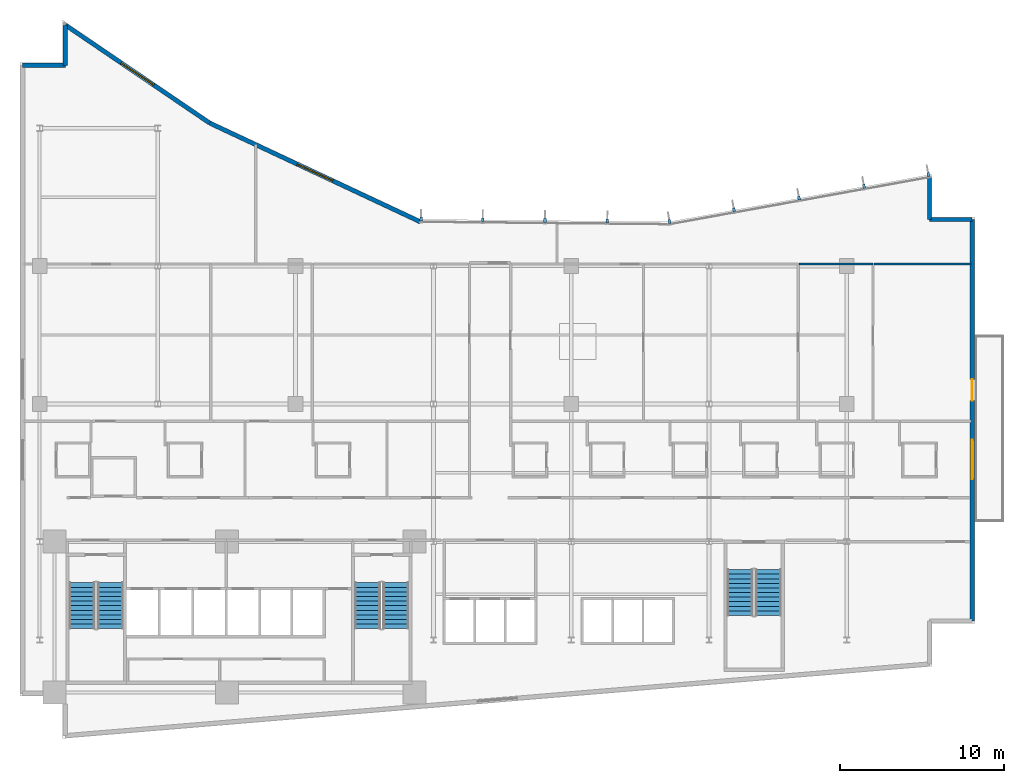
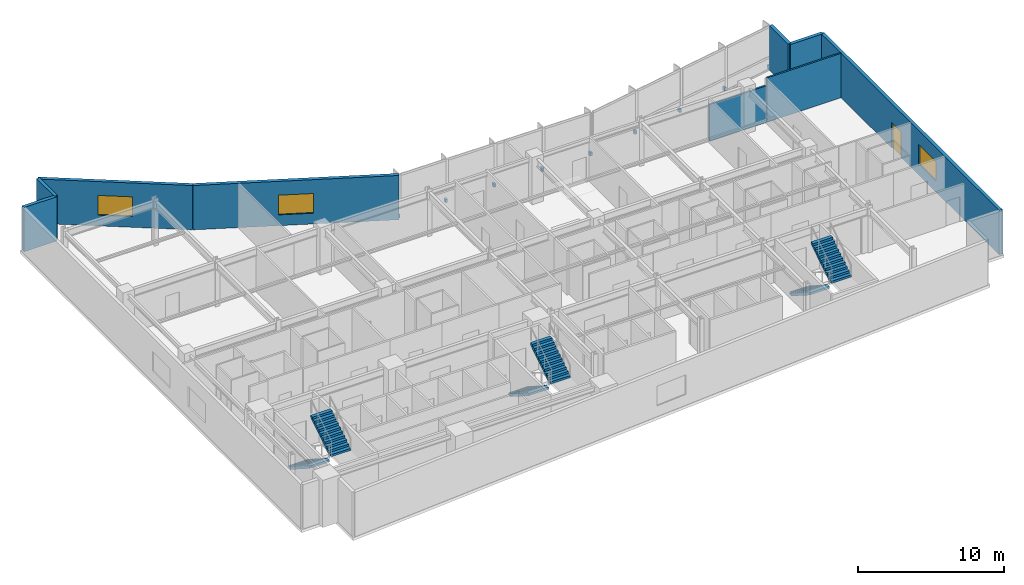
# One storey, part 14 of 19: 9 discrete accessories, 9 walls, 6 stair flights, 3 windows, 1 door, 4 openings, 3 elements without a shape of their own.
"""IFC4 building model written with IfcOpenShell, lengths in metres."""

from ifc_helpers import new_model, si_unit, direction, frame, frame_2d, origin, origin_2d, place, context, subcontext, project, spatial, polyline, rectangle, outline, extrude, material, layer, layer_set, type_object, element, fill, aggregate, save


model = new_model("IFC4")

# Units and contexts
model_context = context("Model", 3, precision=1e-05, world=origin(), true_north=direction((0.0, 1.0)))
body_context = subcontext(model_context, "Body", "Model", "MODEL_VIEW")
ifc_project = project(units=[si_unit("LENGTHUNIT", "METRE"), si_unit("AREAUNIT", "SQUARE_METRE"), si_unit("VOLUMEUNIT", "CUBIC_METRE"), si_unit("PLANEANGLEUNIT", "RADIAN"), si_unit("MASSUNIT", "GRAM", prefix="KILO")], contexts=[model_context])

# Site, building, storey
site_placement = place(None, origin())
site = spatial("IfcSite", under=ifc_project, at=site_placement, CompositionType="ELEMENT")
building_placement = place(site_placement, origin())
building = spatial("IfcBuilding", under=site, at=building_placement, Name="Varnakote Quay Hospital", CompositionType="ELEMENT")
storey_placement = place(building_placement, frame((0.0, 0.0, 54.10009765625)))
storey = spatial("IfcBuildingStorey", under=building, at=storey_placement, Name="L13", CompositionType="ELEMENT", Elevation=54.10009765625)

# Wall, openings, door, window
ifc_material_1 = material(Name="Precast concrete N50 (f'c 50 MPa)", Category="concrete")
ifc_layer_1 = layer(ifc_material_1, 0.260009765625)
ifc_layer_set_1 = layer_set([ifc_layer_1], Name="Precast concrete N50 (f'c 50 MPa)")
wall_type_1 = type_object("IfcWallType", Name="WL-EXT-BRICK-260", PredefinedType="STANDARD", material=ifc_layer_set_1)
wall_1_placement = place(storey_placement, frame((58.0400390625, 7.159912109375, 0.0), z_axis=(0.0, 0.0, 1.0), x_axis=(0.0, 1.0, 0.0)))
wall_1 = element("IfcWall", 1, at=wall_1_placement, inside=storey, type_object=wall_type_1, Name="L13 Healing Terrace Portal Brick Wall", PredefinedType="STANDARD", context=body_context, shape_type="SweptSolid", body=[
    extrude(rectangle(XDim=24.47998046875, YDim=0.260009765625, at=frame_2d((12.239990234375, 0.0))), origin(), (0.0, 0.0, 1.0), 3.7099609375),
])
opening_1_placement = place(wall_1_placement, frame((13.43994140625, 0.0, 0.0)))
opening_1 = element("IfcOpeningElement", 2, at=opening_1_placement, cuts=wall_1, Name="Opening DT-L13", PredefinedType="OPENING", context=body_context, shape_type="SweptSolid", body=[
    extrude(rectangle(XDim=1.300048828125, YDim=2.14990234375, at=frame_2d((0.64990234375, 1.074951171875))), frame((0.0, 0.139892578125, 0.0), z_axis=(0.0, -1.0, 0.0), x_axis=(1.0, 0.0, 0.0)), (0.0, 0.0, 1.0), 0.280029296875),
])
opening_2_placement = place(wall_1_placement, frame((8.64990234375, 0.0, 0.89990234375)))
opening_2 = element("IfcOpeningElement", 3, at=opening_2_placement, cuts=wall_1, Name="Opening WN-0308", PredefinedType="OPENING", context=body_context, shape_type="SweptSolid", body=[
    extrude(rectangle(XDim=2.39990234375, YDim=1.64990234375, at=frame_2d((1.199951171875, 0.824951171875))), frame((0.0, 0.139892578125, 0.0), z_axis=(0.0, -1.0, 0.0), x_axis=(1.0, 0.0, 0.0)), (0.0, 0.0, 1.0), 0.280029296875),
])
ifc_material_2 = material(Name="Anodised aluminium glazed terrace door", Category="aluminium")
door_type = type_object("IfcDoorType", Name="DR-EXT-TERR-1300x2150", OperationType="NOTDEFINED", PredefinedType="DOOR", material=ifc_material_2)
door_placement = place(opening_1_placement, origin())
door = element("IfcDoor", 4, at=door_placement, inside=storey, type_object=door_type, Name="L13 Waterfront Healing Terrace Door", OperationType="SINGLE_SWING_RIGHT", OverallHeight=2.14990234375, OverallWidth=1.300048828125, PredefinedType="DOOR", context=body_context, shape_type="SweptSolid", body=[
    extrude(rectangle(XDim=1.300048828125, YDim=2.14990234375, at=frame_2d((0.64990234375, 1.074951171875))), frame((0.0, 0.02490234375, 0.0), z_axis=(0.0, -1.0, 0.0), x_axis=(1.0, 0.0, 0.0)), (0.0, 0.0, 1.0), 0.050048828125),
])
fill(opening_1, door)
ifc_material_3 = material(Name="Double-glazed low-E solar glass", Category="glass")
window_type = type_object("IfcWindowType", Name="WIN-CLIN-2400x1650", PartitioningType="SINGLE_PANEL", PredefinedType="WINDOW", material=ifc_material_3)
window_1_placement = place(opening_2_placement, origin())
window_1 = element("IfcWindow", 5, at=window_1_placement, inside=storey, type_object=window_type, Name="L13 Solar-Control Clinical Window", OverallHeight=1.64990234375, OverallWidth=2.39990234375, PartitioningType="SINGLE_PANEL", PredefinedType="WINDOW", context=body_context, shape_type="SweptSolid", body=[
    extrude(rectangle(XDim=2.39990234375, YDim=1.64990234375, at=frame_2d((1.199951171875, 0.824951171875))), frame((0.0, 0.030029296875, 0.0), z_axis=(0.0, -1.0, 0.0), x_axis=(1.0, 0.0, 0.0)), (0.0, 0.0, 1.0), 0.06005859375),
])
fill(opening_2, window_1)

# Walls
wall_2_placement = place(storey_placement, frame((58.0400390625, 31.639892578125, 0.0), z_axis=(0.0, 0.0, 1.0), x_axis=(-1.0, 0.0, 0.0)))
element("IfcWall", 6, at=wall_2_placement, inside=storey, type_object=wall_type_1, Name="L13 Brick-Faced Precast Exterior Wall", PredefinedType="STANDARD", context=body_context, shape_type="SweptSolid", body=[
    extrude(rectangle(XDim=2.60009765625, YDim=0.260009765625, at=frame_2d((1.300048828125, 0.0))), origin(), (0.0, 0.0, 1.0), 3.7099609375),
])
wall_3_placement = place(storey_placement, frame((55.43994140625, 31.639892578125, 0.0), z_axis=(0.0, 0.0, 1.0), x_axis=(0.0, 1.0, 0.0)))
element("IfcWall", 7, at=wall_3_placement, inside=storey, type_object=wall_type_1, Name="L13 Brick-Faced Precast Exterior Wall", PredefinedType="STANDARD", context=body_context, shape_type="SweptSolid", body=[
    extrude(rectangle(XDim=2.568603515625, YDim=0.260009765625, at=frame_2d((1.2841796875, 0.0))), origin(), (0.0, 0.0, 1.0), 3.7099609375),
])

# Wall, opening, window
wall_4_placement = place(storey_placement, frame((24.40771484375, 31.4921875, 0.0), z_axis=(0.0, 0.0, 1.0), x_axis=(-0.905396522918, 0.424566998585, 0.0)))
wall_4 = element("IfcWall", 8, at=wall_4_placement, inside=storey, type_object=wall_type_1, Name="L13 Brick-Faced Precast Exterior Wall", PredefinedType="STANDARD", context=body_context, shape_type="SweptSolid", body=[
    extrude(rectangle(XDim=14.189453125, YDim=0.260009765625, at=frame_2d((7.0947265625, 0.0))), origin(), (0.0, 0.0, 1.0), 3.7099609375),
])
opening_3_placement = place(wall_4_placement, frame((5.894775390625, 0.0, 0.89990234375)))
opening_3 = element("IfcOpeningElement", 9, at=opening_3_placement, cuts=wall_4, Name="Opening WN-0067", PredefinedType="OPENING", context=body_context, shape_type="SweptSolid", body=[
    extrude(rectangle(XDim=2.39990234375, YDim=1.64990234375, at=frame_2d((1.199951171875, 0.824951171875))), frame((0.0, 0.139892578125, 0.0), z_axis=(0.0, -1.0, 0.0), x_axis=(1.0, 0.0, 0.0)), (0.0, 0.0, 1.0), 0.280029296875),
])
window_2_placement = place(opening_3_placement, origin())
window_2 = element("IfcWindow", 10, at=window_2_placement, inside=storey, type_object=window_type, Name="L13 Solar-Control Clinical Window", OverallHeight=1.64990234375, OverallWidth=2.39990234375, PartitioningType="SINGLE_PANEL", PredefinedType="WINDOW", context=body_context, shape_type="SweptSolid", body=[
    extrude(rectangle(XDim=2.39990234375, YDim=1.64990234375, at=frame_2d((1.199951171875, 0.824951171875))), frame((0.0, 0.030029296875, 0.0), z_axis=(0.0, -1.0, 0.0), x_axis=(1.0, 0.0, 0.0)), (0.0, 0.0, 1.0), 0.06005859375),
])
fill(opening_3, window_2)

wall_5_placement = place(storey_placement, frame((11.560546875, 37.5166015625, 0.0), z_axis=(0.0, 0.0, 1.0), x_axis=(-0.827064743936, 0.562106670782, 0.0)))
wall_5 = element("IfcWall", 11, at=wall_5_placement, inside=storey, type_object=wall_type_1, Name="L13 Brick-Faced Precast Exterior Wall", PredefinedType="STANDARD", context=body_context, shape_type="SweptSolid", body=[
    extrude(rectangle(XDim=10.640625, YDim=0.260009765625, at=frame_2d((5.3203125, 0.0))), origin(), (0.0, 0.0, 1.0), 3.7099609375),
])
opening_4_placement = place(wall_5_placement, frame((4.120361328125, 0.0, 0.89990234375)))
opening_4 = element("IfcOpeningElement", 12, at=opening_4_placement, cuts=wall_5, Name="Opening WN-0068", PredefinedType="OPENING", context=body_context, shape_type="SweptSolid", body=[
    extrude(rectangle(XDim=2.39990234375, YDim=1.64990234375, at=frame_2d((1.199951171875, 0.824951171875))), frame((0.0, 0.139892578125, 0.0), z_axis=(0.0, -1.0, 0.0), x_axis=(1.0, 0.0, 0.0)), (0.0, 0.0, 1.0), 0.280029296875),
])
window_3_placement = place(opening_4_placement, origin())
window_3 = element("IfcWindow", 13, at=window_3_placement, inside=storey, type_object=window_type, Name="L13 Solar-Control Clinical Window", OverallHeight=1.64990234375, OverallWidth=2.39990234375, PartitioningType="SINGLE_PANEL", PredefinedType="WINDOW", context=body_context, shape_type="SweptSolid", body=[
    extrude(rectangle(XDim=2.39990234375, YDim=1.64990234375, at=frame_2d((1.199951171875, 0.824951171875))), frame((0.0, 0.030029296875, 0.0), z_axis=(0.0, -1.0, 0.0), x_axis=(1.0, 0.0, 0.0)), (0.0, 0.0, 1.0), 0.06005859375),
])
fill(opening_4, window_3)

# Walls
wall_6_placement = place(storey_placement, frame((2.760009765625, 43.497802734375, 0.0), z_axis=(0.0, 0.0, 1.0), x_axis=(0.0, -1.0, 0.0)))
element("IfcWall", 14, at=wall_6_placement, inside=storey, type_object=wall_type_1, Name="L13 Brick-Faced Precast Exterior Wall", PredefinedType="STANDARD", context=body_context, shape_type="SweptSolid", body=[
    extrude(rectangle(XDim=2.457763671875, YDim=0.260009765625, at=frame_2d((1.22900390625, 0.0))), origin(), (0.0, 0.0, 1.0), 3.7099609375),
])
wall_7_placement = place(storey_placement, frame((2.760009765625, 41.0400390625, 0.0), z_axis=(0.0, 0.0, 1.0), x_axis=(-1.0, 0.0, 0.0)))
element("IfcWall", 15, at=wall_7_placement, inside=storey, type_object=wall_type_1, Name="L13 Brick-Faced Precast Exterior Wall", PredefinedType="STANDARD", context=body_context, shape_type="SweptSolid", body=[
    extrude(rectangle(XDim=2.60009765625, YDim=0.260009765625, at=frame_2d((1.300048828125, 0.0))), origin(), (0.0, 0.0, 1.0), 3.7099609375),
])
ifc_material_4 = material(Name="Smoke-proof clinical partition", Category="gypsum")
ifc_layer_2 = layer(ifc_material_4, 0.135009765625)
ifc_layer_set_2 = layer_set([ifc_layer_2], Name="Smoke-proof clinical partition")
wall_type_2 = type_object("IfcWallType", Name="WL-SMOKE-135", PredefinedType="PARTITIONING", material=ifc_layer_set_2)
wall_8_placement = place(storey_placement, frame((52.0, 28.919921875, 0.0), z_axis=(0.0, 0.0, 1.0), x_axis=(-1.0, 0.0, 0.0)))
element("IfcWall", 16, at=wall_8_placement, inside=storey, type_object=wall_type_2, Name="L13 Clinical Interior Partition", PredefinedType="PARTITIONING", context=body_context, shape_type="SweptSolid", body=[
    extrude(rectangle(XDim=4.50244140625, YDim=0.135009765625, at=frame_2d((2.251220703125, 0.0))), origin(), (0.0, 0.0, 1.0), 3.072998046875),
])
wall_9_placement = place(storey_placement, frame((57.9599609375, 28.919921875, 0.0), z_axis=(0.0, 0.0, 1.0), x_axis=(-1.0, 0.0, 0.0)))
element("IfcWall", 17, at=wall_9_placement, inside=storey, type_object=wall_type_2, Name="L13 Clinical Interior Partition", PredefinedType="PARTITIONING", context=body_context, shape_type="SweptSolid", body=[
    extrude(rectangle(XDim=5.90234375, YDim=0.135009765625, at=frame_2d((2.951171875, 0.0))), origin(), (0.0, 0.0, 1.0), 3.7099609375),
])

# Stair, stair flights
ifc_material_5 = material(Name="Concrete N40 (f'c 40 MPa)", Category="concrete")
stair_type = type_object("IfcStairType", Name="STR-CORE-1580", PredefinedType="HALF_TURN_STAIR", material=ifc_material_5)
stair_1_placement = place(storey_placement, origin())
stair_1 = element("IfcStair", 18, at=stair_1_placement, inside=storey, type_object=stair_type, Name="L13 Fire-Isolated Exit Stair ST-01", PredefinedType="HALF_TURN_STAIR")
ifc_material_6 = material(Name="Concrete N40 (f'c 40 MPa)", Category="concrete")
ifc_layer_3 = layer(ifc_material_6, 0.159912109375)
ifc_layer_set_3 = layer_set([ifc_layer_3], Name="Concrete N40 (f'c 40 MPa)")
stair_flight_type = type_object("IfcStairFlightType", Name="FLT-CORE-1580", PredefinedType="STRAIGHT", material=ifc_layer_set_3)
stair_flight_1_placement = place(storey_placement, frame((3.7900390625, 9.5, 0.0), z_axis=(0.0, 0.0, 1.0), x_axis=(0.0, -1.0, 0.0)))
stair_flight_1 = element("IfcStairFlight", 19, at=stair_flight_1_placement, type_object=stair_flight_type, Name="ST-01 flight 1", NumberOfRisers=11, NumberOfTreads=10, PredefinedType="STRAIGHT", RiserHeight=0.179545455, TreadLength=0.28, context=body_context, shape_type="SweptSolid", body=[
    extrude(outline(polyline([(0.0, 0.0), (0.0, 0.179443359375), (0.280029296875, 0.179443359375), (0.280029296875, 0.359130859375), (0.56005859375, 0.359130859375), (0.56005859375, 0.53857421875), (0.840087890625, 0.53857421875), (0.840087890625, 0.71826171875), (1.1201171875, 0.71826171875), (1.1201171875, 0.897705078125), (1.39990234375, 0.897705078125), (1.39990234375, 1.077392578125), (1.679931640625, 1.077392578125), (1.679931640625, 1.2568359375), (1.9599609375, 1.2568359375), (1.9599609375, 1.436279296875), (2.239990234375, 1.436279296875), (2.239990234375, 1.615966796875), (2.52001953125, 1.615966796875), (2.52001953125, 1.79541015625), (2.800048828125, 1.79541015625), (2.800048828125, 1.97509765625), (2.800048828125, 1.60546875), (0.296142578125, 0.0), (0.0, 0.0)])), frame((0.0, 0.7900390625, 0.0), z_axis=(0.0, -1.0, 0.0), x_axis=(1.0, 0.0, 0.0)), (0.0, 0.0, 1.0), 1.580078125),
])
stair_flight_2_placement = place(storey_placement, frame((5.510009765625, 6.699951171875, 1.974853515625), z_axis=(0.0, 0.0, 1.0), x_axis=(0.0, 1.0, 0.0)))
stair_flight_2 = element("IfcStairFlight", 20, at=stair_flight_2_placement, type_object=stair_flight_type, Name="ST-01 flight 2", NumberOfRisers=11, NumberOfTreads=10, PredefinedType="STRAIGHT", RiserHeight=0.179545455, TreadLength=0.28, context=body_context, shape_type="SweptSolid", body=[
    extrude(outline(polyline([(0.0, 0.0), (0.0, 0.179443359375), (0.280029296875, 0.179443359375), (0.280029296875, 0.359130859375), (0.56005859375, 0.359130859375), (0.56005859375, 0.53857421875), (0.840087890625, 0.53857421875), (0.840087890625, 0.71826171875), (1.1201171875, 0.71826171875), (1.1201171875, 0.897705078125), (1.39990234375, 0.897705078125), (1.39990234375, 1.077392578125), (1.679931640625, 1.077392578125), (1.679931640625, 1.2568359375), (1.9599609375, 1.2568359375), (1.9599609375, 1.436279296875), (2.239990234375, 1.436279296875), (2.239990234375, 1.615966796875), (2.52001953125, 1.615966796875), (2.52001953125, 1.79541015625), (2.800048828125, 1.79541015625), (2.800048828125, 1.97509765625), (2.800048828125, 1.60546875), (0.296142578125, 0.0), (0.0, 0.0)])), frame((0.0, 0.7900390625, 0.0), z_axis=(0.0, -1.0, 0.0), x_axis=(1.0, 0.0, 0.0)), (0.0, 0.0, 1.0), 1.580078125),
])
aggregate(stair_1, [stair_flight_1, stair_flight_2])

stair_2_placement = place(storey_placement, origin())
stair_2 = element("IfcStair", 21, at=stair_2_placement, inside=storey, type_object=stair_type, Name="L13 Fire-Isolated Exit Stair ST-02", PredefinedType="HALF_TURN_STAIR")
stair_flight_3_placement = place(storey_placement, frame((21.18994140625, 9.5, 0.0), z_axis=(0.0, 0.0, 1.0), x_axis=(0.0, -1.0, 0.0)))
stair_flight_3 = element("IfcStairFlight", 22, at=stair_flight_3_placement, type_object=stair_flight_type, Name="ST-02 flight 1", NumberOfRisers=11, NumberOfTreads=10, PredefinedType="STRAIGHT", RiserHeight=0.179545455, TreadLength=0.28, context=body_context, shape_type="SweptSolid", body=[
    extrude(outline(polyline([(0.0, 0.0), (0.0, 0.179443359375), (0.280029296875, 0.179443359375), (0.280029296875, 0.359130859375), (0.56005859375, 0.359130859375), (0.56005859375, 0.53857421875), (0.840087890625, 0.53857421875), (0.840087890625, 0.71826171875), (1.1201171875, 0.71826171875), (1.1201171875, 0.897705078125), (1.39990234375, 0.897705078125), (1.39990234375, 1.077392578125), (1.679931640625, 1.077392578125), (1.679931640625, 1.2568359375), (1.9599609375, 1.2568359375), (1.9599609375, 1.436279296875), (2.239990234375, 1.436279296875), (2.239990234375, 1.615966796875), (2.52001953125, 1.615966796875), (2.52001953125, 1.79541015625), (2.800048828125, 1.79541015625), (2.800048828125, 1.97509765625), (2.800048828125, 1.60546875), (0.296142578125, 0.0), (0.0, 0.0)])), frame((0.0, 0.7900390625, 0.0), z_axis=(0.0, -1.0, 0.0), x_axis=(1.0, 0.0, 0.0)), (0.0, 0.0, 1.0), 1.580078125),
])
stair_flight_4_placement = place(storey_placement, frame((22.909912109375, 6.699951171875, 1.974853515625), z_axis=(0.0, 0.0, 1.0), x_axis=(0.0, 1.0, 0.0)))
stair_flight_4 = element("IfcStairFlight", 23, at=stair_flight_4_placement, type_object=stair_flight_type, Name="ST-02 flight 2", NumberOfRisers=11, NumberOfTreads=10, PredefinedType="STRAIGHT", RiserHeight=0.179545455, TreadLength=0.28, context=body_context, shape_type="SweptSolid", body=[
    extrude(outline(polyline([(0.0, 0.0), (0.0, 0.179443359375), (0.280029296875, 0.179443359375), (0.280029296875, 0.359130859375), (0.56005859375, 0.359130859375), (0.56005859375, 0.53857421875), (0.840087890625, 0.53857421875), (0.840087890625, 0.71826171875), (1.1201171875, 0.71826171875), (1.1201171875, 0.897705078125), (1.39990234375, 0.897705078125), (1.39990234375, 1.077392578125), (1.679931640625, 1.077392578125), (1.679931640625, 1.2568359375), (1.9599609375, 1.2568359375), (1.9599609375, 1.436279296875), (2.239990234375, 1.436279296875), (2.239990234375, 1.615966796875), (2.52001953125, 1.615966796875), (2.52001953125, 1.79541015625), (2.800048828125, 1.79541015625), (2.800048828125, 1.97509765625), (2.800048828125, 1.60546875), (0.296142578125, 0.0), (0.0, 0.0)])), frame((0.0, 0.7900390625, 0.0), z_axis=(0.0, -1.0, 0.0), x_axis=(1.0, 0.0, 0.0)), (0.0, 0.0, 1.0), 1.580078125),
])
aggregate(stair_2, [stair_flight_3, stair_flight_4])

stair_3_placement = place(storey_placement, origin())
stair_3 = element("IfcStair", 24, at=stair_3_placement, inside=storey, type_object=stair_type, Name="L13 Fire-Isolated Exit Stair ST-03", PredefinedType="HALF_TURN_STAIR")
stair_flight_5_placement = place(storey_placement, frame((43.889892578125, 10.300048828125, 0.0), z_axis=(0.0, 0.0, 1.0), x_axis=(0.0, -1.0, 0.0)))
stair_flight_5 = element("IfcStairFlight", 25, at=stair_flight_5_placement, type_object=stair_flight_type, Name="ST-03 flight 1", NumberOfRisers=11, NumberOfTreads=10, PredefinedType="STRAIGHT", RiserHeight=0.179545455, TreadLength=0.28, context=body_context, shape_type="SweptSolid", body=[
    extrude(outline(polyline([(0.0, 0.0), (0.0, 0.179443359375), (0.280029296875, 0.179443359375), (0.280029296875, 0.359130859375), (0.56005859375, 0.359130859375), (0.56005859375, 0.53857421875), (0.840087890625, 0.53857421875), (0.840087890625, 0.71826171875), (1.1201171875, 0.71826171875), (1.1201171875, 0.897705078125), (1.39990234375, 0.897705078125), (1.39990234375, 1.077392578125), (1.679931640625, 1.077392578125), (1.679931640625, 1.2568359375), (1.9599609375, 1.2568359375), (1.9599609375, 1.436279296875), (2.239990234375, 1.436279296875), (2.239990234375, 1.615966796875), (2.52001953125, 1.615966796875), (2.52001953125, 1.79541015625), (2.800048828125, 1.79541015625), (2.800048828125, 1.97509765625), (2.800048828125, 1.60546875), (0.296142578125, 0.0), (0.0, 0.0)])), frame((0.0, 0.7900390625, 0.0), z_axis=(0.0, -1.0, 0.0), x_axis=(1.0, 0.0, 0.0)), (0.0, 0.0, 1.0), 1.580078125),
])
stair_flight_6_placement = place(storey_placement, frame((45.610107421875, 7.5, 1.974853515625), z_axis=(0.0, 0.0, 1.0), x_axis=(0.0, 1.0, 0.0)))
stair_flight_6 = element("IfcStairFlight", 26, at=stair_flight_6_placement, type_object=stair_flight_type, Name="ST-03 flight 2", NumberOfRisers=11, NumberOfTreads=10, PredefinedType="STRAIGHT", RiserHeight=0.179545455, TreadLength=0.28, context=body_context, shape_type="SweptSolid", body=[
    extrude(outline(polyline([(0.0, 0.0), (0.0, 0.179443359375), (0.280029296875, 0.179443359375), (0.280029296875, 0.359130859375), (0.56005859375, 0.359130859375), (0.56005859375, 0.53857421875), (0.840087890625, 0.53857421875), (0.840087890625, 0.71826171875), (1.1201171875, 0.71826171875), (1.1201171875, 0.897705078125), (1.39990234375, 0.897705078125), (1.39990234375, 1.077392578125), (1.679931640625, 1.077392578125), (1.679931640625, 1.2568359375), (1.9599609375, 1.2568359375), (1.9599609375, 1.436279296875), (2.239990234375, 1.436279296875), (2.239990234375, 1.615966796875), (2.52001953125, 1.615966796875), (2.52001953125, 1.79541015625), (2.800048828125, 1.79541015625), (2.800048828125, 1.97509765625), (2.800048828125, 1.60546875), (0.296142578125, 0.0), (0.0, 0.0)])), frame((0.0, 0.7900390625, 0.0), z_axis=(0.0, -1.0, 0.0), x_axis=(1.0, 0.0, 0.0)), (0.0, 0.0, 1.0), 1.580078125),
])
aggregate(stair_3, [stair_flight_5, stair_flight_6])

# Discrete accessories
ifc_material_7 = material(Name="Anodised aluminium 6063-T6 Bronze", Category="aluminium")
discrete_accessory_type = type_object("IfcDiscreteAccessoryType", Name="ACC-FIN-BRACKET-180", PredefinedType="BRACKET", material=ifc_material_7)
for number, where, z_axis, x_axis, name in (
    (27, (55.372802734375, 34.369140625, 0.0), (0.0, 0.0, 1.0), (-0.984071739666, -0.177771795263, 0.0), "L13 Curtain Wall Fin Fixing Bracket"),
    (28, (51.447265625, 33.65966796875, 0.0), (0.0, 0.0, 1.0), (-0.984071739666, -0.177771795263, 0.0), "L13 Curtain Wall Fin Fixing Bracket"),
    (29, (47.484619140625, 32.943603515625, 0.0), (0.0, 0.0, 1.0), (-0.984071739666, -0.177771795263, 0.0), "L13 Curtain Wall Fin Fixing Bracket"),
    (30, (43.52197265625, 32.227294921875, 0.0), (0.0, 0.0, 1.0), (-0.984071739666, -0.177771795263, 0.0), "L13 Curtain Wall Fin Fixing Bracket"),
    (31, (39.59619140625, 31.517822265625, 0.0), (0.0, 0.0, 1.0), (-0.984071739666, -0.177771795263, 0.0), "L13 Curtain Wall Fin Fixing Bracket"),
    (32, (35.7958984375, 31.551025390625, 0.0), (0.0, 0.0, 1.0), (-0.999952236369, 0.009773688199, 0.0), "L13 Curtain Wall Fin Fixing Bracket"),
    (33, (32.000244140625, 31.588134765625, 0.0), (0.0, 0.0, 1.0), (-0.999952236369, 0.009773688199, 0.0), "L13 Curtain Wall Fin Fixing Bracket"),
    (34, (28.204833984375, 31.625244140625, 0.0), (0.0, 0.0, 1.0), (-0.999952236369, 0.009773688199, 0.0), "L13 Curtain Wall Fin Fixing Bracket"),
    (35, (24.44677734375, 31.661865234375, 0.0), (0.0, 0.0, 1.0), (-0.999952236369, 0.009773688199, 0.0), "L13 Curtain Wall Fin Fixing Bracket"),
):
    element("IfcDiscreteAccessory", number, at=place(storey_placement, frame(where, z_axis=z_axis, x_axis=x_axis)), inside=storey, type_object=discrete_accessory_type, Name=name, PredefinedType="BRACKET", context=body_context, shape_type="SweptSolid", body=[
        extrude(rectangle(XDim=0.159912109375, YDim=0.239990234375, at=origin_2d()), origin(), (0.0, 0.0, 1.0), 0.280029296875),
    ])

save(model, "model.ifc")
